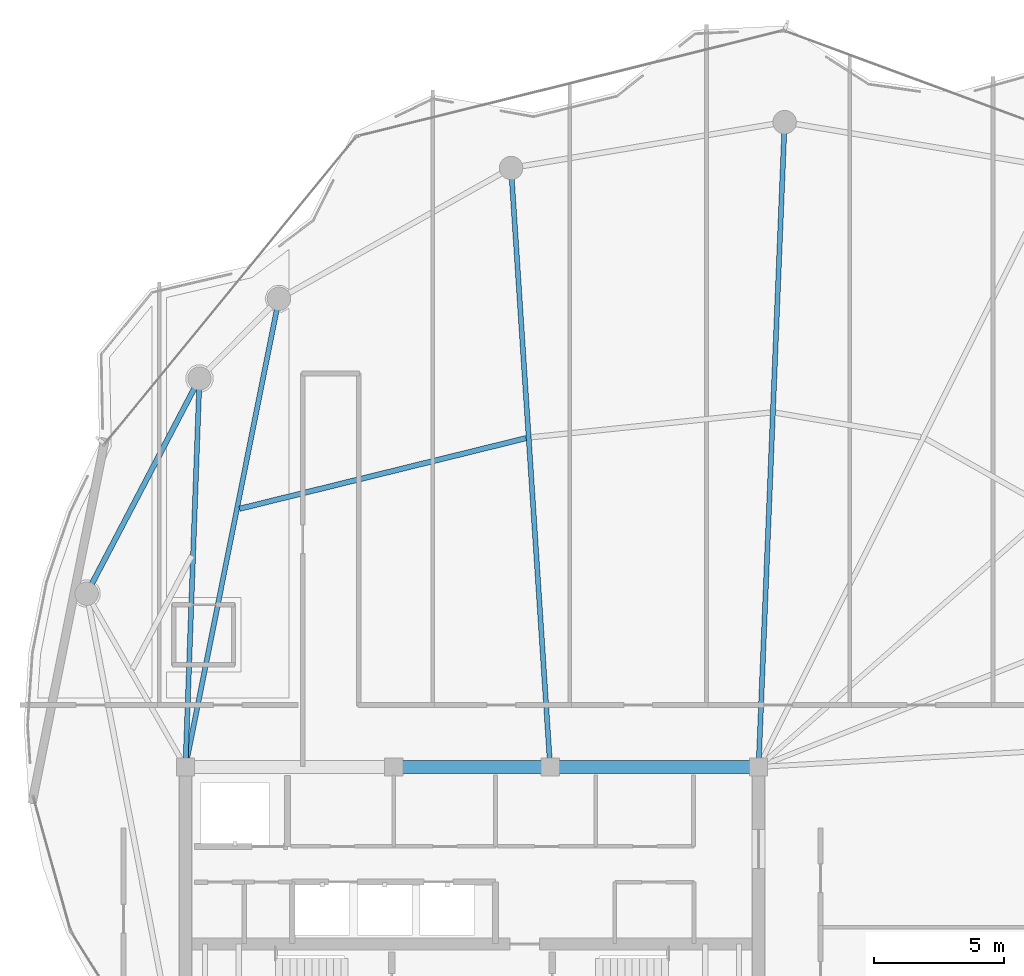
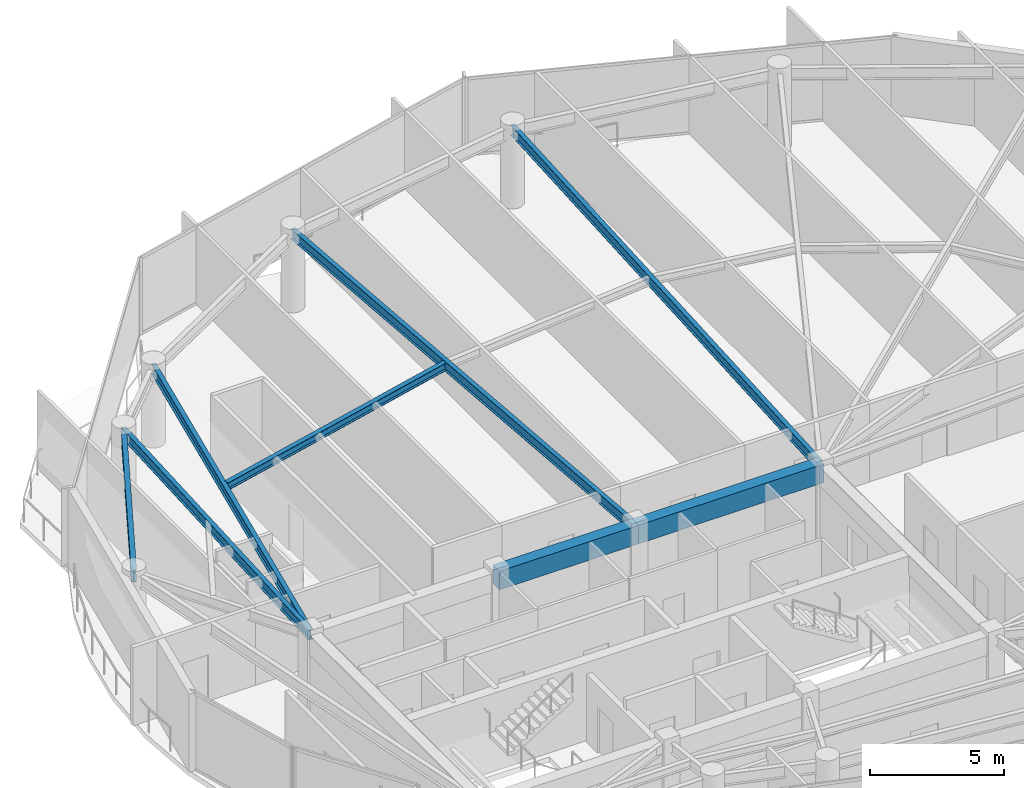
# One storey, part 10 of 29: 8 beams.
"""IFC4 building model written with IfcOpenShell, lengths in metres."""

from ifc_helpers import new_model, si_unit, direction, frame, origin, origin_2d, place, context, subcontext, project, spatial, rectangle, i_section, extrude, material, material_profile, profile_set, type_object, element, save


model = new_model("IFC4")

# Units and contexts
model_context = context("Model", 3, precision=1e-05, world=origin(), true_north=direction((0.0, 1.0)))
body_context = subcontext(model_context, "Body", "Model", "MODEL_VIEW")
ifc_project = project(units=[si_unit("LENGTHUNIT", "METRE"), si_unit("AREAUNIT", "SQUARE_METRE"), si_unit("VOLUMEUNIT", "CUBIC_METRE"), si_unit("PLANEANGLEUNIT", "RADIAN"), si_unit("MASSUNIT", "GRAM", prefix="KILO")], contexts=[model_context])

# Site, building, storey
site_placement = place(None, origin())
site = spatial("IfcSite", under=ifc_project, at=site_placement, CompositionType="ELEMENT")
building_placement = place(site_placement, origin())
building = spatial("IfcBuilding", under=site, at=building_placement, Name="Kazevale Care Tower and Concert Hall", CompositionType="ELEMENT")
storey_placement = place(building_placement, frame((0.0, 0.0, 285.199951171875)))
storey = spatial("IfcBuildingStorey", under=building, at=storey_placement, Name="L75", CompositionType="ELEMENT", Elevation=285.199951171875)

# Beams
ifc_material_1 = material(Name="Concrete C60", Category="concrete")
ifc_material_profile_1 = material_profile(ifc_material_1, rectangle(XDim=0.5, YDim=0.85009765625, at=origin_2d()), Name="RC-B500x850")
ifc_profile_set_1 = profile_set([ifc_material_profile_1], Name="Concrete C60")
beam_type_1 = type_object("IfcBeamType", Name="Core Coupling Beam RC500x850", PredefinedType="LINTEL", material=ifc_profile_set_1)
beam_1_placement = place(storey_placement, frame((44.0, 36.39990234375, 3.135009765625), z_axis=(-1.0, 0.0, 0.0), x_axis=(0.0, -1.0, 0.0)))
element("IfcBeam", 1, at=beam_1_placement, inside=storey, type_object=beam_type_1, Name="beam:L75:coretie:5", PredefinedType="LINTEL", context=body_context, shape_type="SweptSolid", body=[
    extrude(rectangle(XDim=0.5, YDim=0.85009765625, at=origin_2d()), origin(), (0.0, 0.0, 1.0), 8.0),
])
beam_2_placement = place(storey_placement, frame((36.0, 36.39990234375, 3.135009765625), z_axis=(-1.0, 0.0, 0.0), x_axis=(0.0, -1.0, 0.0)))
element("IfcBeam", 2, at=beam_2_placement, inside=storey, type_object=beam_type_1, Name="beam:L75:coretie:6", PredefinedType="LINTEL", context=body_context, shape_type="SweptSolid", body=[
    extrude(rectangle(XDim=0.5, YDim=0.85009765625, at=origin_2d()), origin(), (0.0, 0.0, 1.0), 6.0),
])
ifc_material_2 = material(Name="Steel ASTM A572 Gr 50", Category="steel")
ifc_material_profile_2 = material_profile(ifc_material_2, i_section(OverallWidth=0.19091796875, OverallDepth=0.4599609375, WebThickness=0.010009765625, FlangeThickness=0.01611328125, at=origin_2d()), Name="W460x82")
ifc_profile_set_2 = profile_set([ifc_material_profile_2], Name="Steel ASTM A572 Gr 50")
beam_type_2 = type_object("IfcBeamType", Name="Radial Floor Beam W460x82", PredefinedType="BEAM", material=ifc_profile_set_2)
beam_3_placement = place(storey_placement, frame((44.0, 36.39990234375, 3.330078125), z_axis=(0.040371101203, 0.999184754781, 0.0), x_axis=(-0.999184754781, 0.040371101203, 0.0)))
element("IfcBeam", 3, at=beam_3_placement, inside=storey, type_object=beam_type_2, Name="beam:L75:rad:05", PredefinedType="BEAM", context=body_context, shape_type="SweptSolid", body=[
    extrude(i_section(OverallWidth=0.19091796875, OverallDepth=0.4599609375, WebThickness=0.010009765625, FlangeThickness=0.01611328125, at=origin_2d()), origin(), (0.0, 0.0, 1.0), 24.770263671875),
])
beam_4_placement = place(storey_placement, frame((36.0, 36.39990234375, 3.330078125), z_axis=(-0.0651073525, 0.997878265446, 0.0), x_axis=(-0.997878265446, -0.0651073525, 0.0)))
element("IfcBeam", 4, at=beam_4_placement, inside=storey, type_object=beam_type_2, Name="beam:L75:rad:06", PredefinedType="BEAM", context=body_context, shape_type="SweptSolid", body=[
    extrude(i_section(OverallWidth=0.19091796875, OverallDepth=0.4599609375, WebThickness=0.010009765625, FlangeThickness=0.01611328125, at=origin_2d()), origin(), (0.0, 0.0, 1.0), 23.038818359375),
])
beam_5_placement = place(storey_placement, frame((22.0, 36.39990234375, 3.330078125), z_axis=(0.195908605871, 0.980622158706, 0.0), x_axis=(-0.980622158706, 0.195908605871, 0.0)))
element("IfcBeam", 5, at=beam_5_placement, inside=storey, type_object=beam_type_2, Name="beam:L75:rad:07", PredefinedType="BEAM", context=body_context, shape_type="SweptSolid", body=[
    extrude(i_section(OverallWidth=0.19091796875, OverallDepth=0.4599609375, WebThickness=0.010009765625, FlangeThickness=0.01611328125, at=origin_2d()), origin(), (0.0, 0.0, 1.0), 18.325439453125),
])
beam_6_placement = place(storey_placement, frame((22.0, 36.39990234375, 3.330078125), z_axis=(0.036195810092, 0.999344716968, 0.0), x_axis=(-0.999344716968, 0.036195810092, 0.0)))
element("IfcBeam", 6, at=beam_6_placement, inside=storey, type_object=beam_type_2, Name="beam:L75:rad:08", PredefinedType="BEAM", context=body_context, shape_type="SweptSolid", body=[
    extrude(i_section(OverallWidth=0.19091796875, OverallDepth=0.4599609375, WebThickness=0.010009765625, FlangeThickness=0.01611328125, at=origin_2d()), origin(), (0.0, 0.0, 1.0), 14.919921875),
])
ifc_material_profile_3 = material_profile(ifc_material_2, i_section(OverallWidth=0.205078125, OverallDepth=0.35400390625, WebThickness=0.009521484375, FlangeThickness=0.016845703125, at=origin_2d()), Name="W360x79")
ifc_profile_set_3 = profile_set([ifc_material_profile_3], Name="Steel ASTM A572 Gr 50")
beam_type_3 = type_object("IfcBeamType", Name="Secondary Floor Joist W360x79", PredefinedType="JOIST", material=ifc_profile_set_3)
beam_7_placement = place(storey_placement, frame((35.072998046875, 49.01904296875, 3.383056640625), z_axis=(-0.970953581022, -0.239267932452, 0.0), x_axis=(0.239267932452, -0.970953581022, 0.0)))
element("IfcBeam", 7, at=beam_7_placement, inside=storey, type_object=beam_type_3, Name="beam:L75:joist:06", PredefinedType="JOIST", context=body_context, shape_type="SweptSolid", body=[
    extrude(i_section(OverallWidth=0.205078125, OverallDepth=0.35400390625, WebThickness=0.009521484375, FlangeThickness=0.016845703125, at=origin_2d()), origin(), (0.0, 0.0, 1.0), 11.326171875),
])
ifc_material_profile_4 = material_profile(ifc_material_2, i_section(OverallWidth=0.208984375, OverallDepth=0.532958984375, WebThickness=0.01025390625, FlangeThickness=0.015625, at=origin_2d()), Name="W530x92")
ifc_profile_set_4 = profile_set([ifc_material_profile_4], Name="Steel ASTM A572 Gr 50")
beam_type_4 = type_object("IfcBeamType", Name="Upper Ring Beam W530x92", PredefinedType="BEAM", material=ifc_profile_set_4)
beam_8_placement = place(storey_placement, frame((22.5400390625, 51.31005859375, 3.29345703125), z_axis=(-0.464293577914, -0.885681361161, 0.0), x_axis=(0.885681361161, -0.464293577914, 0.0)))
element("IfcBeam", 8, at=beam_8_placement, inside=storey, type_object=beam_type_4, Name="beam:L75:ring:08", PredefinedType="BEAM", context=body_context, shape_type="SweptSolid", body=[
    extrude(i_section(OverallWidth=0.208984375, OverallDepth=0.532958984375, WebThickness=0.01025390625, FlangeThickness=0.015625, at=origin_2d()), origin(), (0.0, 0.0, 1.0), 9.326171875),
])

save(model, "model.ifc")
